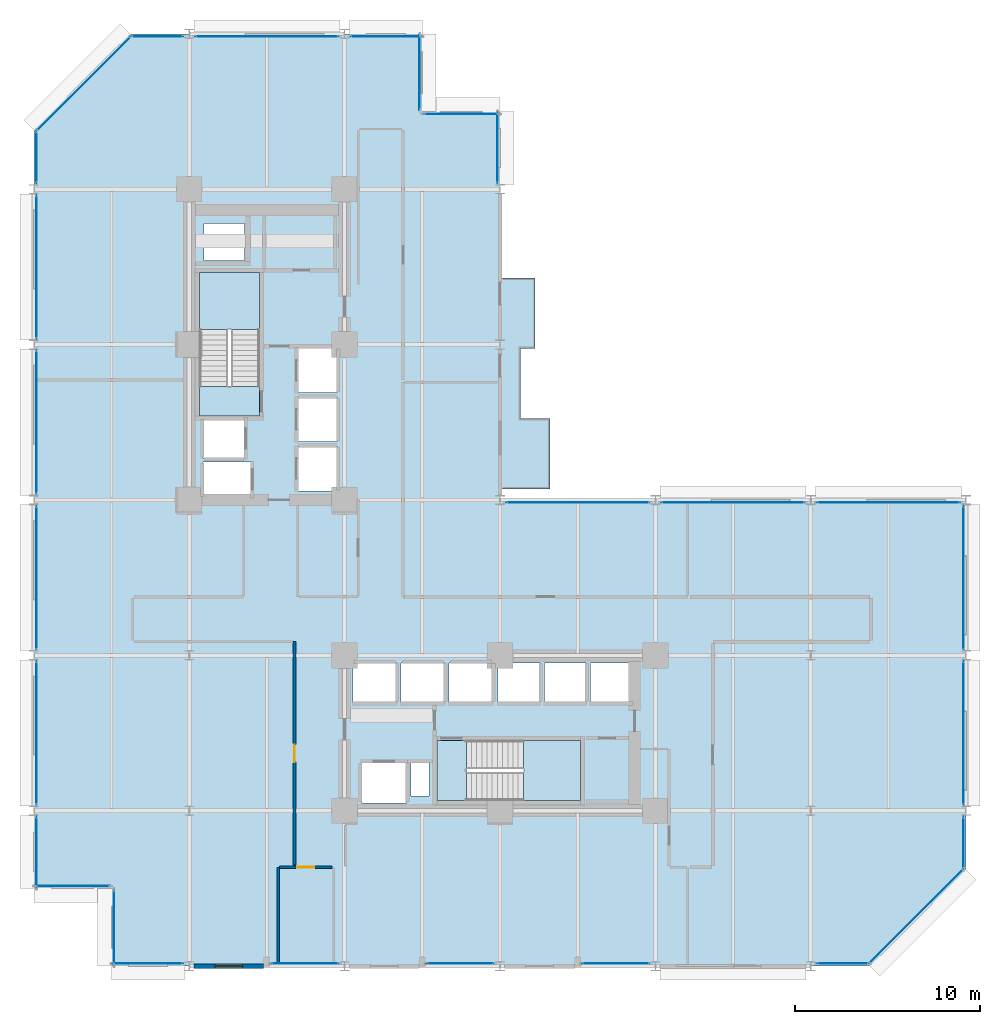
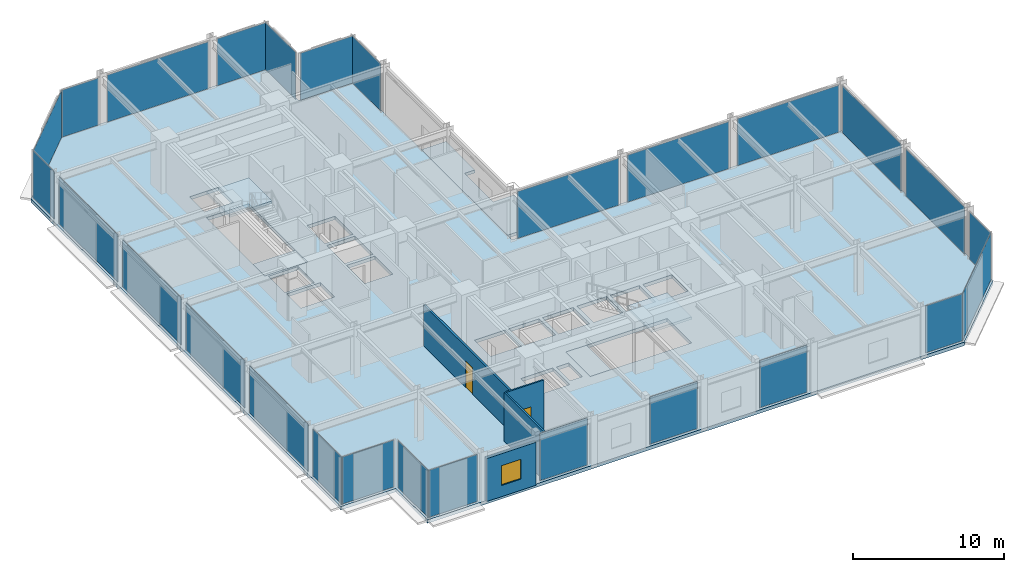
# One storey, part 19 of 25: 27 plates, 6 slabs, 4 walls, 2 doors, 1 window, 3 openings, 29 elements without a shape of their own.
"""IFC4 building model written with IfcOpenShell, lengths in metres."""

from ifc_helpers import new_model, si_unit, direction, frame, frame_2d, origin, origin_2d, place, context, subcontext, project, spatial, polyline, rectangle, outline, extrude, material, layer, layer_set, type_object, element, fill, aggregate, save


model = new_model("IFC4")

# Units and contexts
model_context = context("Model", 3, precision=1e-05, world=origin(), true_north=direction((0.0, 1.0)))
body_context = subcontext(model_context, "Body", "Model", "MODEL_VIEW")
ifc_project = project(units=[si_unit("LENGTHUNIT", "METRE"), si_unit("AREAUNIT", "SQUARE_METRE"), si_unit("VOLUMEUNIT", "CUBIC_METRE"), si_unit("PLANEANGLEUNIT", "RADIAN"), si_unit("MASSUNIT", "GRAM", prefix="KILO")], contexts=[model_context])

# Site, building, storey
site_placement = place(None, origin())
site = spatial("IfcSite", under=ifc_project, at=site_placement, CompositionType="ELEMENT")
building_placement = place(site_placement, origin())
building = spatial("IfcBuilding", under=site, at=building_placement, Name="Nerrivon Quay Data Exchange", CompositionType="ELEMENT")
storey_placement = place(building_placement, frame((0.0, 0.0, 24.800048828125)))
storey = spatial("IfcBuildingStorey", under=building, at=storey_placement, Name="L05", CompositionType="ELEMENT", Elevation=24.800048828125)

# Curtain wall, plate
ifc_material_1 = material(Name="Anodised aluminium 6063-T6", Category="aluminium")
ifc_layer_1 = layer(ifc_material_1, 0.219970703125)
ifc_layer_set_1 = layer_set([ifc_layer_1], Name="Anodised aluminium 6063-T6")
curtain_wall_type = type_object("IfcCurtainWallType", Name="CW-SYS-01", PredefinedType="NOTDEFINED", material=ifc_layer_set_1)
curtain_wall_1_placement = place(storey_placement, origin())
curtain_wall_1 = element("IfcCurtainWall", 1, at=curtain_wall_1_placement, inside=storey, type_object=curtain_wall_type, Name="L05 Unitised Curtain Wall 1", PredefinedType="NOTDEFINED")
ifc_material_2 = material(Name="Double-glazed low-E solar control glass", Category="glass")
ifc_layer_2 = layer(ifc_material_2, 0.028076171875)
ifc_layer_set_2 = layer_set([ifc_layer_2], Name="Double-glazed low-E solar control glass")
plate_type = type_object("IfcPlateType", Name="CWP-GLZ-28", PredefinedType="CURTAIN_PANEL", material=ifc_layer_set_2)
plate_1_placement = place(storey_placement, frame((47.700927734375, 2.698974609375, 0.06494140625), z_axis=(0.0, 0.0, 1.0), x_axis=(-0.707106781187, -0.707106781187, 0.0)))
plate_1 = element("IfcPlate", 2, at=plate_1_placement, type_object=plate_type, Name="CW01 panel 1.1", PredefinedType="CURTAIN_PANEL", context=body_context, shape_type="SweptSolid", body=[
    extrude(rectangle(XDim=7.203857421875, YDim=0.028076171875, at=origin_2d()), origin(), (0.0, 0.0, 1.0), 3.794921875),
])
aggregate(curtain_wall_1, [plate_1])

curtain_wall_2_placement = place(storey_placement, origin())
curtain_wall_2 = element("IfcCurtainWall", 3, at=curtain_wall_2_placement, inside=storey, type_object=curtain_wall_type, Name="L05 Unitised Curtain Wall 2", PredefinedType="NOTDEFINED")
plate_2_placement = place(storey_placement, frame((43.72509765625, 0.139892578125, 0.06494140625), z_axis=(0.0, 0.0, 1.0), x_axis=(-1.0, 0.0, 0.0)))
plate_2 = element("IfcPlate", 4, at=plate_2_placement, type_object=plate_type, Name="CW01 panel 1.1", PredefinedType="CURTAIN_PANEL", context=body_context, shape_type="SweptSolid", body=[
    extrude(rectangle(XDim=2.800048828125, YDim=0.028076171875, at=origin_2d()), origin(), (0.0, 0.0, 1.0), 3.794921875),
])
aggregate(curtain_wall_2, [plate_2])

curtain_wall_3_placement = place(storey_placement, origin())
curtain_wall_3 = element("IfcCurtainWall", 5, at=curtain_wall_3_placement, inside=storey, type_object=curtain_wall_type, Name="L05 Unitised Curtain Wall 4", PredefinedType="NOTDEFINED")
plate_3_placement = place(storey_placement, frame((31.46240234375, 0.139892578125, 0.06494140625), z_axis=(0.0, 0.0, 1.0), x_axis=(-1.0, 0.0, 0.0)))
plate_3 = element("IfcPlate", 6, at=plate_3_placement, type_object=plate_type, Name="CW01 panel 1.1", PredefinedType="CURTAIN_PANEL", context=body_context, shape_type="SweptSolid", body=[
    extrude(rectangle(XDim=3.625, YDim=0.028076171875, at=origin_2d()), origin(), (0.0, 0.0, 1.0), 3.794921875),
])
aggregate(curtain_wall_3, [plate_3])

curtain_wall_4_placement = place(storey_placement, origin())
curtain_wall_4 = element("IfcCurtainWall", 7, at=curtain_wall_4_placement, inside=storey, type_object=curtain_wall_type, Name="L05 Unitised Curtain Wall 6", PredefinedType="NOTDEFINED")
plate_4_placement = place(storey_placement, frame((23.0625, 0.139892578125, 0.06494140625), z_axis=(0.0, 0.0, 1.0), x_axis=(-1.0, 0.0, 0.0)))
plate_4 = element("IfcPlate", 8, at=plate_4_placement, type_object=plate_type, Name="CW01 panel 1.1", PredefinedType="CURTAIN_PANEL", context=body_context, shape_type="SweptSolid", body=[
    extrude(rectangle(XDim=3.625, YDim=0.028076171875, at=origin_2d()), origin(), (0.0, 0.0, 1.0), 3.794921875),
])
aggregate(curtain_wall_4, [plate_4])

curtain_wall_5_placement = place(storey_placement, origin())
curtain_wall_5 = element("IfcCurtainWall", 9, at=curtain_wall_5_placement, inside=storey, type_object=curtain_wall_type, Name="L05 Unitised Curtain Wall 8", PredefinedType="NOTDEFINED")
plate_5_placement = place(storey_placement, frame((14.66259765625, 0.139892578125, 0.06494140625), z_axis=(0.0, 0.0, 1.0), x_axis=(-1.0, 0.0, 0.0)))
plate_5 = element("IfcPlate", 10, at=plate_5_placement, type_object=plate_type, Name="CW01 panel 1.1", PredefinedType="CURTAIN_PANEL", context=body_context, shape_type="SweptSolid", body=[
    extrude(rectangle(XDim=3.625, YDim=0.028076171875, at=origin_2d()), origin(), (0.0, 0.0, 1.0), 3.794921875),
])
aggregate(curtain_wall_5, [plate_5])

curtain_wall_6_placement = place(storey_placement, origin())
curtain_wall_6 = element("IfcCurtainWall", 11, at=curtain_wall_6_placement, inside=storey, type_object=curtain_wall_type, Name="L05 Unitised Curtain Wall 10", PredefinedType="NOTDEFINED")
plate_6_placement = place(storey_placement, frame((6.175048828125, 0.139892578125, 0.06494140625), z_axis=(0.0, 0.0, 1.0), x_axis=(-1.0, 0.0, 0.0)))
plate_6 = element("IfcPlate", 12, at=plate_6_placement, type_object=plate_type, Name="CW01 panel 1.1", PredefinedType="CURTAIN_PANEL", context=body_context, shape_type="SweptSolid", body=[
    extrude(rectangle(XDim=3.800048828125, YDim=0.028076171875, at=origin_2d()), origin(), (0.0, 0.0, 1.0), 3.794921875),
])
aggregate(curtain_wall_6, [plate_6])

curtain_wall_7_placement = place(storey_placement, origin())
curtain_wall_7 = element("IfcCurtainWall", 13, at=curtain_wall_7_placement, inside=storey, type_object=curtain_wall_type, Name="L05 Unitised Curtain Wall 11", PredefinedType="NOTDEFINED")
plate_7_placement = place(storey_placement, frame((4.340087890625, 2.10009765625, 0.06494140625), z_axis=(0.0, 0.0, 1.0), x_axis=(0.0, 1.0, 0.0)))
plate_7 = element("IfcPlate", 14, at=plate_7_placement, type_object=plate_type, Name="CW01 panel 1.1", PredefinedType="CURTAIN_PANEL", context=body_context, shape_type="SweptSolid", body=[
    extrude(rectangle(XDim=4.050048828125, YDim=0.028076171875, at=origin_2d()), origin(), (0.0, 0.0, 1.0), 3.794921875),
])
aggregate(curtain_wall_7, [plate_7])

curtain_wall_8_placement = place(storey_placement, origin())
curtain_wall_8 = element("IfcCurtainWall", 15, at=curtain_wall_8_placement, inside=storey, type_object=curtain_wall_type, Name="L05 Unitised Curtain Wall 12", PredefinedType="NOTDEFINED")
plate_8_placement = place(storey_placement, frame((2.10009765625, 4.340087890625, 0.06494140625), z_axis=(0.0, 0.0, 1.0), x_axis=(-1.0, 0.0, 0.0)))
plate_8 = element("IfcPlate", 16, at=plate_8_placement, type_object=plate_type, Name="CW01 panel 1.1", PredefinedType="CURTAIN_PANEL", context=body_context, shape_type="SweptSolid", body=[
    extrude(rectangle(XDim=4.050048828125, YDim=0.028076171875, at=origin_2d()), origin(), (0.0, 0.0, 1.0), 3.794921875),
])
aggregate(curtain_wall_8, [plate_8])

curtain_wall_9_placement = place(storey_placement, origin())
curtain_wall_9 = element("IfcCurtainWall", 17, at=curtain_wall_9_placement, inside=storey, type_object=curtain_wall_type, Name="L05 Unitised Curtain Wall 13", PredefinedType="NOTDEFINED")
plate_9_placement = place(storey_placement, frame((0.139892578125, 6.175048828125, 0.06494140625), z_axis=(0.0, 0.0, 1.0), x_axis=(0.0, 1.0, 0.0)))
plate_9 = element("IfcPlate", 18, at=plate_9_placement, type_object=plate_type, Name="CW01 panel 1.1", PredefinedType="CURTAIN_PANEL", context=body_context, shape_type="SweptSolid", body=[
    extrude(rectangle(XDim=3.800048828125, YDim=0.028076171875, at=origin_2d()), origin(), (0.0, 0.0, 1.0), 3.794921875),
])
aggregate(curtain_wall_9, [plate_9])

curtain_wall_10_placement = place(storey_placement, origin())
curtain_wall_10 = element("IfcCurtainWall", 19, at=curtain_wall_10_placement, inside=storey, type_object=curtain_wall_type, Name="L05 Unitised Curtain Wall 14", PredefinedType="NOTDEFINED")
plate_10_placement = place(storey_placement, frame((0.139892578125, 12.60009765625, 0.06494140625), z_axis=(0.0, 0.0, 1.0), x_axis=(0.0, 1.0, 0.0)))
plate_10 = element("IfcPlate", 20, at=plate_10_placement, type_object=plate_type, Name="CW01 panel 1.1", PredefinedType="CURTAIN_PANEL", context=body_context, shape_type="SweptSolid", body=[
    extrude(rectangle(XDim=7.75, YDim=0.028076171875, at=origin_2d()), origin(), (0.0, 0.0, 1.0), 3.794921875),
])
aggregate(curtain_wall_10, [plate_10])

curtain_wall_11_placement = place(storey_placement, origin())
curtain_wall_11 = element("IfcCurtainWall", 21, at=curtain_wall_11_placement, inside=storey, type_object=curtain_wall_type, Name="L05 Unitised Curtain Wall 15", PredefinedType="NOTDEFINED")
plate_11_placement = place(storey_placement, frame((0.139892578125, 21.0, 0.06494140625), z_axis=(0.0, 0.0, 1.0), x_axis=(0.0, 1.0, 0.0)))
plate_11 = element("IfcPlate", 22, at=plate_11_placement, type_object=plate_type, Name="CW01 panel 1.1", PredefinedType="CURTAIN_PANEL", context=body_context, shape_type="SweptSolid", body=[
    extrude(rectangle(XDim=7.75, YDim=0.028076171875, at=origin_2d()), origin(), (0.0, 0.0, 1.0), 3.794921875),
])
aggregate(curtain_wall_11, [plate_11])

curtain_wall_12_placement = place(storey_placement, origin())
curtain_wall_12 = element("IfcCurtainWall", 23, at=curtain_wall_12_placement, inside=storey, type_object=curtain_wall_type, Name="L05 Unitised Curtain Wall 16", PredefinedType="NOTDEFINED")
plate_12_placement = place(storey_placement, frame((0.139892578125, 29.39990234375, 0.06494140625), z_axis=(0.0, 0.0, 1.0), x_axis=(0.0, 1.0, 0.0)))
plate_12 = element("IfcPlate", 24, at=plate_12_placement, type_object=plate_type, Name="CW01 panel 1.1", PredefinedType="CURTAIN_PANEL", context=body_context, shape_type="SweptSolid", body=[
    extrude(rectangle(XDim=7.75, YDim=0.028076171875, at=origin_2d()), origin(), (0.0, 0.0, 1.0), 3.794921875),
])
aggregate(curtain_wall_12, [plate_12])

curtain_wall_13_placement = place(storey_placement, origin())
curtain_wall_13 = element("IfcCurtainWall", 25, at=curtain_wall_13_placement, inside=storey, type_object=curtain_wall_type, Name="L05 Unitised Curtain Wall 17", PredefinedType="NOTDEFINED")
plate_13_placement = place(storey_placement, frame((0.139892578125, 37.800048828125, 0.06494140625), z_axis=(0.0, 0.0, 1.0), x_axis=(0.0, 1.0, 0.0)))
plate_13 = element("IfcPlate", 26, at=plate_13_placement, type_object=plate_type, Name="CW01 panel 1.1", PredefinedType="CURTAIN_PANEL", context=body_context, shape_type="SweptSolid", body=[
    extrude(rectangle(XDim=7.75, YDim=0.028076171875, at=origin_2d()), origin(), (0.0, 0.0, 1.0), 3.794921875),
])
aggregate(curtain_wall_13, [plate_13])

curtain_wall_14_placement = place(storey_placement, origin())
curtain_wall_14 = element("IfcCurtainWall", 27, at=curtain_wall_14_placement, inside=storey, type_object=curtain_wall_type, Name="L05 Unitised Curtain Wall 18", PredefinedType="NOTDEFINED")
plate_14_placement = place(storey_placement, frame((0.139892578125, 43.72509765625, 0.06494140625), z_axis=(0.0, 0.0, 1.0), x_axis=(0.0, 1.0, 0.0)))
plate_14 = element("IfcPlate", 28, at=plate_14_placement, type_object=plate_type, Name="CW01 panel 1.1", PredefinedType="CURTAIN_PANEL", context=body_context, shape_type="SweptSolid", body=[
    extrude(rectangle(XDim=2.800048828125, YDim=0.028076171875, at=origin_2d()), origin(), (0.0, 0.0, 1.0), 3.794921875),
])
aggregate(curtain_wall_14, [plate_14])

curtain_wall_15_placement = place(storey_placement, origin())
curtain_wall_15 = element("IfcCurtainWall", 29, at=curtain_wall_15_placement, inside=storey, type_object=curtain_wall_type, Name="L05 Unitised Curtain Wall 19", PredefinedType="NOTDEFINED")
plate_15_placement = place(storey_placement, frame((2.698974609375, 47.700927734375, 0.06494140625), z_axis=(0.0, 0.0, 1.0), x_axis=(0.707106781187, 0.707106781187, 0.0)))
plate_15 = element("IfcPlate", 30, at=plate_15_placement, type_object=plate_type, Name="CW01 panel 1.1", PredefinedType="CURTAIN_PANEL", context=body_context, shape_type="SweptSolid", body=[
    extrude(rectangle(XDim=7.203857421875, YDim=0.028076171875, at=origin_2d()), origin(), (0.0, 0.0, 1.0), 3.794921875),
])
aggregate(curtain_wall_15, [plate_15])

curtain_wall_16_placement = place(storey_placement, origin())
curtain_wall_16 = element("IfcCurtainWall", 31, at=curtain_wall_16_placement, inside=storey, type_object=curtain_wall_type, Name="L05 Unitised Curtain Wall 20", PredefinedType="NOTDEFINED")
plate_16_placement = place(storey_placement, frame((6.675048828125, 50.260009765625, 0.06494140625), z_axis=(0.0, 0.0, 1.0), x_axis=(1.0, 0.0, 0.0)))
plate_16 = element("IfcPlate", 32, at=plate_16_placement, type_object=plate_type, Name="CW01 panel 1.1", PredefinedType="CURTAIN_PANEL", context=body_context, shape_type="SweptSolid", body=[
    extrude(rectangle(XDim=2.800048828125, YDim=0.028076171875, at=origin_2d()), origin(), (0.0, 0.0, 1.0), 3.794921875),
])
aggregate(curtain_wall_16, [plate_16])

curtain_wall_17_placement = place(storey_placement, origin())
curtain_wall_17 = element("IfcCurtainWall", 33, at=curtain_wall_17_placement, inside=storey, type_object=curtain_wall_type, Name="L05 Unitised Curtain Wall 21", PredefinedType="NOTDEFINED")
plate_17_placement = place(storey_placement, frame((12.60009765625, 50.260009765625, 0.06494140625), z_axis=(0.0, 0.0, 1.0), x_axis=(1.0, 0.0, 0.0)))
plate_17 = element("IfcPlate", 34, at=plate_17_placement, type_object=plate_type, Name="CW01 panel 1.1", PredefinedType="CURTAIN_PANEL", context=body_context, shape_type="SweptSolid", body=[
    extrude(rectangle(XDim=7.75, YDim=0.028076171875, at=origin_2d()), origin(), (0.0, 0.0, 1.0), 3.794921875),
])
aggregate(curtain_wall_17, [plate_17])

curtain_wall_18_placement = place(storey_placement, origin())
curtain_wall_18 = element("IfcCurtainWall", 35, at=curtain_wall_18_placement, inside=storey, type_object=curtain_wall_type, Name="L05 Unitised Curtain Wall 22", PredefinedType="NOTDEFINED")
plate_18_placement = place(storey_placement, frame((19.02490234375, 50.260009765625, 0.06494140625), z_axis=(0.0, 0.0, 1.0), x_axis=(1.0, 0.0, 0.0)))
plate_18 = element("IfcPlate", 36, at=plate_18_placement, type_object=plate_type, Name="CW01 panel 1.1", PredefinedType="CURTAIN_PANEL", context=body_context, shape_type="SweptSolid", body=[
    extrude(rectangle(XDim=3.800048828125, YDim=0.028076171875, at=origin_2d()), origin(), (0.0, 0.0, 1.0), 3.794921875),
])
aggregate(curtain_wall_18, [plate_18])

curtain_wall_19_placement = place(storey_placement, origin())
curtain_wall_19 = element("IfcCurtainWall", 37, at=curtain_wall_19_placement, inside=storey, type_object=curtain_wall_type, Name="L05 Unitised Curtain Wall 23", PredefinedType="NOTDEFINED")
plate_19_placement = place(storey_placement, frame((20.860107421875, 48.300048828125, 0.06494140625), z_axis=(0.0, 0.0, 1.0), x_axis=(0.0, -1.0, 0.0)))
plate_19 = element("IfcPlate", 38, at=plate_19_placement, type_object=plate_type, Name="CW01 panel 1.1", PredefinedType="CURTAIN_PANEL", context=body_context, shape_type="SweptSolid", body=[
    extrude(rectangle(XDim=4.050048828125, YDim=0.028076171875, at=origin_2d()), origin(), (0.0, 0.0, 1.0), 3.794921875),
])
aggregate(curtain_wall_19, [plate_19])

curtain_wall_20_placement = place(storey_placement, origin())
curtain_wall_20 = element("IfcCurtainWall", 39, at=curtain_wall_20_placement, inside=storey, type_object=curtain_wall_type, Name="L05 Unitised Curtain Wall 24", PredefinedType="NOTDEFINED")
plate_20_placement = place(storey_placement, frame((23.10009765625, 46.06005859375, 0.06494140625), z_axis=(0.0, 0.0, 1.0), x_axis=(1.0, 0.0, 0.0)))
plate_20 = element("IfcPlate", 40, at=plate_20_placement, type_object=plate_type, Name="CW01 panel 1.1", PredefinedType="CURTAIN_PANEL", context=body_context, shape_type="SweptSolid", body=[
    extrude(rectangle(XDim=4.050048828125, YDim=0.028076171875, at=origin_2d()), origin(), (0.0, 0.0, 1.0), 3.794921875),
])
aggregate(curtain_wall_20, [plate_20])

curtain_wall_21_placement = place(storey_placement, origin())
curtain_wall_21 = element("IfcCurtainWall", 41, at=curtain_wall_21_placement, inside=storey, type_object=curtain_wall_type, Name="L05 Unitised Curtain Wall 25", PredefinedType="NOTDEFINED")
plate_21_placement = place(storey_placement, frame((25.06005859375, 44.22509765625, 0.06494140625), z_axis=(0.0, 0.0, 1.0), x_axis=(0.0, -1.0, 0.0)))
plate_21 = element("IfcPlate", 42, at=plate_21_placement, type_object=plate_type, Name="CW01 panel 1.1", PredefinedType="CURTAIN_PANEL", context=body_context, shape_type="SweptSolid", body=[
    extrude(rectangle(XDim=3.800048828125, YDim=0.028076171875, at=origin_2d()), origin(), (0.0, 0.0, 1.0), 3.794921875),
])
aggregate(curtain_wall_21, [plate_21])

curtain_wall_22_placement = place(storey_placement, origin())
curtain_wall_22 = element("IfcCurtainWall", 43, at=curtain_wall_22_placement, inside=storey, type_object=curtain_wall_type, Name="L05 Unitised Curtain Wall 28", PredefinedType="NOTDEFINED")
plate_22_placement = place(storey_placement, frame((29.39990234375, 25.06005859375, 0.06494140625), z_axis=(0.0, 0.0, 1.0), x_axis=(1.0, 0.0, 0.0)))
plate_22 = element("IfcPlate", 44, at=plate_22_placement, type_object=plate_type, Name="CW01 panel 1.1", PredefinedType="CURTAIN_PANEL", context=body_context, shape_type="SweptSolid", body=[
    extrude(rectangle(XDim=7.75, YDim=0.028076171875, at=origin_2d()), origin(), (0.0, 0.0, 1.0), 3.794921875),
])
aggregate(curtain_wall_22, [plate_22])

curtain_wall_23_placement = place(storey_placement, origin())
curtain_wall_23 = element("IfcCurtainWall", 45, at=curtain_wall_23_placement, inside=storey, type_object=curtain_wall_type, Name="L05 Unitised Curtain Wall 29", PredefinedType="NOTDEFINED")
plate_23_placement = place(storey_placement, frame((37.800048828125, 25.06005859375, 0.06494140625), z_axis=(0.0, 0.0, 1.0), x_axis=(1.0, 0.0, 0.0)))
plate_23 = element("IfcPlate", 46, at=plate_23_placement, type_object=plate_type, Name="CW01 panel 1.1", PredefinedType="CURTAIN_PANEL", context=body_context, shape_type="SweptSolid", body=[
    extrude(rectangle(XDim=7.75, YDim=0.028076171875, at=origin_2d()), origin(), (0.0, 0.0, 1.0), 3.794921875),
])
aggregate(curtain_wall_23, [plate_23])

curtain_wall_24_placement = place(storey_placement, origin())
curtain_wall_24 = element("IfcCurtainWall", 47, at=curtain_wall_24_placement, inside=storey, type_object=curtain_wall_type, Name="L05 Unitised Curtain Wall 30", PredefinedType="NOTDEFINED")
plate_24_placement = place(storey_placement, frame((46.199951171875, 25.06005859375, 0.06494140625), z_axis=(0.0, 0.0, 1.0), x_axis=(1.0, 0.0, 0.0)))
plate_24 = element("IfcPlate", 48, at=plate_24_placement, type_object=plate_type, Name="CW01 panel 1.1", PredefinedType="CURTAIN_PANEL", context=body_context, shape_type="SweptSolid", body=[
    extrude(rectangle(XDim=7.75, YDim=0.028076171875, at=origin_2d()), origin(), (0.0, 0.0, 1.0), 3.794921875),
])
aggregate(curtain_wall_24, [plate_24])

curtain_wall_25_placement = place(storey_placement, origin())
curtain_wall_25 = element("IfcCurtainWall", 49, at=curtain_wall_25_placement, inside=storey, type_object=curtain_wall_type, Name="L05 Unitised Curtain Wall 31", PredefinedType="NOTDEFINED")
plate_25_placement = place(storey_placement, frame((50.260009765625, 21.0, 0.06494140625), z_axis=(0.0, 0.0, 1.0), x_axis=(0.0, -1.0, 0.0)))
plate_25 = element("IfcPlate", 50, at=plate_25_placement, type_object=plate_type, Name="CW01 panel 1.1", PredefinedType="CURTAIN_PANEL", context=body_context, shape_type="SweptSolid", body=[
    extrude(rectangle(XDim=7.75, YDim=0.028076171875, at=origin_2d()), origin(), (0.0, 0.0, 1.0), 3.794921875),
])
aggregate(curtain_wall_25, [plate_25])

curtain_wall_26_placement = place(storey_placement, origin())
curtain_wall_26 = element("IfcCurtainWall", 51, at=curtain_wall_26_placement, inside=storey, type_object=curtain_wall_type, Name="L05 Unitised Curtain Wall 32", PredefinedType="NOTDEFINED")
plate_26_placement = place(storey_placement, frame((50.260009765625, 12.60009765625, 0.06494140625), z_axis=(0.0, 0.0, 1.0), x_axis=(0.0, -1.0, 0.0)))
plate_26 = element("IfcPlate", 52, at=plate_26_placement, type_object=plate_type, Name="CW01 panel 1.1", PredefinedType="CURTAIN_PANEL", context=body_context, shape_type="SweptSolid", body=[
    extrude(rectangle(XDim=7.75, YDim=0.028076171875, at=origin_2d()), origin(), (0.0, 0.0, 1.0), 3.794921875),
])
aggregate(curtain_wall_26, [plate_26])

curtain_wall_27_placement = place(storey_placement, origin())
curtain_wall_27 = element("IfcCurtainWall", 53, at=curtain_wall_27_placement, inside=storey, type_object=curtain_wall_type, Name="L05 Unitised Curtain Wall 33", PredefinedType="NOTDEFINED")
plate_27_placement = place(storey_placement, frame((50.260009765625, 6.675048828125, 0.06494140625), z_axis=(0.0, 0.0, 1.0), x_axis=(0.0, -1.0, 0.0)))
plate_27 = element("IfcPlate", 54, at=plate_27_placement, type_object=plate_type, Name="CW01 panel 1.1", PredefinedType="CURTAIN_PANEL", context=body_context, shape_type="SweptSolid", body=[
    extrude(rectangle(XDim=2.800048828125, YDim=0.028076171875, at=origin_2d()), origin(), (0.0, 0.0, 1.0), 3.794921875),
])
aggregate(curtain_wall_27, [plate_27])

# Slab
ifc_material_3 = material(Name="Precast white architectural concrete N50 (50 MPa)", Category="concrete")
ifc_layer_3 = layer(ifc_material_3, 0.25)
ifc_layer_set_3 = layer_set([ifc_layer_3], Name="Precast white architectural concrete N50 (50 MPa)")
slab_type_1 = type_object("IfcSlabType", Name="SLB-BAL-250", PredefinedType="FLOOR", material=ifc_layer_set_3)
slab_1_placement = place(storey_placement, frame((0.0, 0.0, -0.25)))
element("IfcSlab", 55, at=slab_1_placement, inside=storey, type_object=slab_type_1, Name="L05 Waterfront Subtropical Verandah", PredefinedType="FLOOR", context=body_context, shape_type="SweptSolid", body=[
    extrude(outline(polyline([(26.300048828125, 29.60009765625), (26.300048828125, 33.39990234375), (27.10009765625, 33.39990234375), (27.10009765625, 37.199951171875), (25.199951171875, 37.199951171875), (25.199951171875, 33.39990234375), (25.199951171875, 29.60009765625), (25.199951171875, 25.800048828125), (27.89990234375, 25.800048828125), (27.89990234375, 29.60009765625), (26.300048828125, 29.60009765625)])), origin(), (0.0, 0.0, 1.0), 0.25),
])

# Stair, slab
ifc_material_4 = material(Name="Concrete N50 (50 MPa)", Category="concrete")
stair_type = type_object("IfcStairType", Name="STAIR-DOG-42", PredefinedType="HALF_TURN_STAIR", material=ifc_material_4)
stair_1_placement = place(storey_placement, origin())
stair_1 = element("IfcStair", 56, at=stair_1_placement, inside=storey, type_object=stair_type, Name="L05 West Core Fire Stair ST01", PredefinedType="HALF_TURN_STAIR")
ifc_layer_4 = layer(ifc_material_4, 0.199951171875)
ifc_layer_set_4 = layer_set([ifc_layer_4], Name="Concrete N50 (50 MPa)")
slab_type_2 = type_object("IfcSlabType", Name="SLB-LAND-200", PredefinedType="LANDING", material=ifc_layer_set_4)
slab_2_placement = place(storey_placement, frame((0.0, 0.0, 1.89990234375)))
slab_2 = element("IfcSlab", 57, at=slab_2_placement, type_object=slab_type_2, Name="ST01 landing 1", PredefinedType="LANDING", context=body_context, shape_type="SweptSolid", body=[
    extrude(outline(polyline([(12.199951171875, 34.409912109375), (12.199951171875, 37.5), (8.949951171875, 37.5), (8.949951171875, 34.409912109375), (12.199951171875, 34.409912109375)])), origin(), (0.0, 0.0, 1.0), 0.199951171875),
])
aggregate(stair_1, [slab_2])

# Slab
slab_3_placement = place(storey_placement, frame((0.0, 0.0, -0.199951171875)))
element("IfcSlab", 58, at=slab_3_placement, inside=storey, type_object=slab_type_2, Name="L05 ST01 floor landing", PredefinedType="LANDING", context=body_context, shape_type="SweptSolid", body=[
    extrude(outline(polyline([(12.199951171875, 29.75), (12.199951171875, 31.330078125), (8.949951171875, 31.330078125), (8.949951171875, 29.75), (12.199951171875, 29.75)])), origin(), (0.0, 0.0, 1.0), 0.199951171875),
])

# Stair, slab
stair_2_placement = place(storey_placement, origin())
stair_2 = element("IfcStair", 59, at=stair_2_placement, inside=storey, type_object=stair_type, Name="L05 East Core Fire Stair ST02", PredefinedType="HALF_TURN_STAIR")
slab_4_placement = place(storey_placement, frame((0.0, 0.0, 1.89990234375)))
slab_4 = element("IfcSlab", 60, at=slab_4_placement, type_object=slab_type_2, Name="ST02 landing 1", PredefinedType="LANDING", context=body_context, shape_type="SweptSolid", body=[
    extrude(outline(polyline([(26.4599609375, 8.949951171875), (29.550048828125, 8.949951171875), (29.550048828125, 12.199951171875), (26.4599609375, 12.199951171875), (26.4599609375, 8.949951171875)])), origin(), (0.0, 0.0, 1.0), 0.199951171875),
])
aggregate(stair_2, [slab_4])

# Slabs
slab_5_placement = place(storey_placement, frame((0.0, 0.0, -0.199951171875)))
element("IfcSlab", 61, at=slab_5_placement, inside=storey, type_object=slab_type_2, Name="L05 ST02 floor landing", PredefinedType="LANDING", context=body_context, shape_type="SweptSolid", body=[
    extrude(outline(polyline([(21.800048828125, 8.949951171875), (23.3798828125, 8.949951171875), (23.3798828125, 12.199951171875), (21.800048828125, 12.199951171875), (21.800048828125, 8.949951171875)])), origin(), (0.0, 0.0, 1.0), 0.199951171875),
])
ifc_layer_5 = layer(ifc_material_4, 0.27490234375)
ifc_layer_set_5 = layer_set([ifc_layer_5], Name="Concrete N50 (50 MPa)")
slab_type_3 = type_object("IfcSlabType", Name="SLB-TOW-275", PredefinedType="FLOOR", material=ifc_layer_set_5)
slab_6_placement = place(storey_placement, frame((0.0, 0.0, -0.275146484375)))
element("IfcSlab", 62, at=slab_6_placement, inside=storey, type_object=slab_type_3, Name="L05 Primary Structural Slab", PredefinedType="FLOOR", context=body_context, shape_type="SweptSolid", body=[
    extrude(outline(polyline([(50.39990234375, 25.199951171875), (25.199951171875, 25.199951171875), (25.199951171875, 46.199951171875), (21.0, 46.199951171875), (21.0, 50.39990234375), (5.199951171875, 50.39990234375), (0.0, 45.199951171875), (0.0, 4.199951171875), (4.199951171875, 4.199951171875), (4.199951171875, 0.0), (45.199951171875, 0.0), (50.39990234375, 5.199951171875), (50.39990234375, 25.199951171875)]), holes=[polyline([(8.949951171875, 29.75), (8.949951171875, 37.5), (12.199951171875, 37.5), (12.199951171875, 29.75), (8.949951171875, 29.75)]), polyline([(21.800048828125, 12.199951171875), (29.550048828125, 12.199951171875), (29.550048828125, 8.949951171875), (21.800048828125, 8.949951171875), (21.800048828125, 12.199951171875)]), polyline([(30.10009765625, 16.39990234375), (32.35009765625, 16.39990234375), (32.35009765625, 14.25), (30.10009765625, 14.25), (30.10009765625, 16.39990234375)]), polyline([(27.60009765625, 16.39990234375), (29.85009765625, 16.39990234375), (29.85009765625, 14.25), (27.60009765625, 14.25), (27.60009765625, 16.39990234375)]), polyline([(25.10009765625, 16.39990234375), (27.35009765625, 16.39990234375), (27.35009765625, 14.25), (25.10009765625, 14.25), (25.10009765625, 16.39990234375)]), polyline([(22.449951171875, 16.39990234375), (24.800048828125, 16.39990234375), (24.800048828125, 14.25), (22.449951171875, 14.25), (22.449951171875, 16.39990234375)]), polyline([(19.85009765625, 16.39990234375), (22.199951171875, 16.39990234375), (22.199951171875, 14.25), (19.85009765625, 14.25), (19.85009765625, 16.39990234375)]), polyline([(20.39990234375, 11.0), (21.35009765625, 11.0), (21.35009765625, 9.199951171875), (20.39990234375, 9.199951171875), (20.39990234375, 11.0)]), polyline([(17.699951171875, 8.830078125), (17.699951171875, 11.030029296875), (20.14990234375, 11.030029296875), (20.14990234375, 8.830078125), (17.699951171875, 8.830078125)]), polyline([(17.25, 14.25), (17.25, 16.39990234375), (19.60009765625, 16.39990234375), (19.60009765625, 14.25), (17.25, 14.25)]), polyline([(14.25, 28.10009765625), (16.39990234375, 28.10009765625), (16.39990234375, 25.699951171875), (14.25, 25.699951171875), (14.25, 28.10009765625)]), polyline([(14.25, 30.75), (16.39990234375, 30.75), (16.39990234375, 28.35009765625), (14.25, 28.35009765625), (14.25, 30.75)]), polyline([(14.25, 33.39990234375), (16.39990234375, 33.39990234375), (16.39990234375, 31.0), (14.25, 31.0), (14.25, 33.39990234375)]), polyline([(9.14990234375, 27.25), (11.75, 27.25), (11.75, 25.35009765625), (9.14990234375, 25.35009765625), (9.14990234375, 27.25)]), polyline([(9.14990234375, 29.60009765625), (11.39990234375, 29.60009765625), (11.39990234375, 27.449951171875), (9.14990234375, 27.449951171875), (9.14990234375, 29.60009765625)]), polyline([(9.199951171875, 40.14990234375), (11.39990234375, 40.14990234375), (11.39990234375, 38.14990234375), (9.199951171875, 38.14990234375), (9.199951171875, 40.14990234375)])]), origin(), (0.0, 0.0, 1.0), 0.275146484375),
])

# Wall, opening, window
ifc_material_5 = material(Name="Architectural terracotta precast concrete N50 (50 MPa)", Category="masonry")
ifc_layer_6 = layer(ifc_material_5, 0.239990234375)
ifc_layer_set_6 = layer_set([ifc_layer_6], Name="Architectural terracotta precast concrete N50 (50 MPa)")
wall_type_1 = type_object("IfcWallType", Name="EW-PREC-240", PredefinedType="STANDARD", material=ifc_layer_set_6)
wall_1_placement = place(storey_placement, frame((12.425048828125, 0.0, 0.0), z_axis=(0.0, 0.0, 1.0), x_axis=(-1.0, 0.0, 0.0)))
wall_1 = element("IfcWall", 63, at=wall_1_placement, inside=storey, type_object=wall_type_1, Name="L05 Podium Precast Spandrel Wall 9", PredefinedType="STANDARD", context=body_context, shape_type="SweptSolid", body=[
    extrude(rectangle(XDim=3.775146484375, YDim=0.239990234375, at=frame_2d((1.8876953125, 0.0))), origin(), (0.0, 0.0, 1.0), 3.470947265625),
])
opening_1_placement = place(wall_1_placement, frame((1.137451171875, 0.0, 0.89990234375)))
opening_1 = element("IfcOpeningElement", 64, at=opening_1_placement, cuts=wall_1, Name="Opening WN4", PredefinedType="OPENING", context=body_context, shape_type="SweptSolid", body=[
    extrude(rectangle(XDim=1.5, YDim=1.60009765625, at=frame_2d((0.75, 0.800048828125))), frame((0.0, 0.1298828125, 0.0), z_axis=(0.0, -1.0, 0.0), x_axis=(1.0, 0.0, 0.0)), (0.0, 0.0, 1.0), 0.260009765625),
])
window_type = type_object("IfcWindowType", Name="WIN-W4-1500x1600", PartitioningType="SINGLE_PANEL", PredefinedType="WINDOW", material=ifc_material_2)
window_placement = place(opening_1_placement, origin())
window = element("IfcWindow", 65, at=window_placement, inside=storey, type_object=window_type, Name="L05 Solar Facade Window 9", OverallHeight=1.60009765625, OverallWidth=1.5, PartitioningType="SINGLE_PANEL", PredefinedType="WINDOW", context=body_context, shape_type="SweptSolid", body=[
    extrude(rectangle(XDim=1.5, YDim=1.60009765625, at=frame_2d((0.75, 0.800048828125))), frame((0.0, 0.030029296875, 0.0), z_axis=(0.0, -1.0, 0.0), x_axis=(1.0, 0.0, 0.0)), (0.0, 0.0, 1.0), 0.06005859375),
])
fill(opening_1, window)

# Wall, opening, door
ifc_material_6 = material(Name="Gypsum plasterboard on cold-formed framing", Category="gypsum")
ifc_layer_7 = layer(ifc_material_6, 0.1201171875)
ifc_layer_set_7 = layer_set([ifc_layer_7], Name="Gypsum plasterboard on cold-formed framing")
wall_type_2 = type_object("IfcWallType", Name="WALL-PT-120", PredefinedType="PARTITIONING", material=ifc_layer_set_7)
wall_2_placement = place(storey_placement, frame((16.12841796875, 5.340087890625, 0.0), z_axis=(0.0, 0.0, 1.0), x_axis=(-1.0, 0.0, 0.0)))
wall_2 = element("IfcWall", 66, at=wall_2_placement, inside=storey, type_object=wall_type_2, Name="L05 Partition Accessible Toilet", PredefinedType="PARTITIONING", context=body_context, shape_type="SweptSolid", body=[
    extrude(rectangle(XDim=2.85693359375, YDim=0.1201171875, at=frame_2d((1.428466796875, 0.0))), origin(), (0.0, 0.0, 1.0), 3.925048828125),
])
opening_2_placement = place(wall_2_placement, frame((0.968505859375, 0.0, 0.0)))
opening_2 = element("IfcOpeningElement", 67, at=opening_2_placement, cuts=wall_2, Name="Opening D-WC", PredefinedType="OPENING", context=body_context, shape_type="SweptSolid", body=[
    extrude(rectangle(XDim=0.919921875, YDim=2.10009765625, at=frame_2d((0.4599609375, 1.050048828125))), frame((0.0, 0.070068359375, 0.0), z_axis=(0.0, -1.0, 0.0), x_axis=(1.0, 0.0, 0.0)), (0.0, 0.0, 1.0), 0.14013671875),
])
ifc_material_7 = material(Name="Engineered hardwood timber", Category="wood")
door_type_1 = type_object("IfcDoorType", Name="DR-WC-920", OperationType="NOTDEFINED", PredefinedType="DOOR", material=ifc_material_7)
door_1_placement = place(opening_2_placement, origin())
door_1 = element("IfcDoor", 68, at=door_1_placement, inside=storey, type_object=door_type_1, Name="L05 Door Accessible Toilet", OperationType="SINGLE_SWING_RIGHT", OverallHeight=2.10009765625, OverallWidth=0.919921875, PredefinedType="DOOR", context=body_context, shape_type="SweptSolid", body=[
    extrude(rectangle(XDim=0.919921875, YDim=2.10009765625, at=frame_2d((0.4599609375, 1.050048828125))), frame((0.0, 0.02490234375, 0.0), z_axis=(0.0, -1.0, 0.0), x_axis=(1.0, 0.0, 0.0)), (0.0, 0.0, 1.0), 0.050048828125),
])
fill(opening_2, door_1)

# Wall
ifc_layer_8 = layer(ifc_material_6, 0.135009765625)
ifc_layer_set_8 = layer_set([ifc_layer_8], Name="Gypsum plasterboard on cold-formed framing")
wall_type_3 = type_object("IfcWallType", Name="WALL-PT-135", PredefinedType="PARTITIONING", material=ifc_layer_set_8)
wall_3_placement = place(storey_placement, frame((13.199951171875, 5.340087890625, 0.0), z_axis=(0.0, 0.0, 1.0), x_axis=(0.0, -1.0, 0.0)))
element("IfcWall", 69, at=wall_3_placement, inside=storey, type_object=wall_type_3, Name="L05 Partition Accessible Toilet", PredefinedType="PARTITIONING", context=body_context, shape_type="SweptSolid", body=[
    extrude(rectangle(XDim=5.171142578125, YDim=0.135009765625, at=frame_2d((2.58544921875, 0.0))), origin(), (0.0, 0.0, 1.0), 3.925048828125),
])

# Wall, opening, door
ifc_layer_9 = layer(ifc_material_6, 0.14990234375)
ifc_layer_set_9 = layer_set([ifc_layer_9], Name="Gypsum plasterboard on cold-formed framing")
wall_type_4 = type_object("IfcWallType", Name="WALL-PT-150", PredefinedType="PARTITIONING", material=ifc_layer_set_9)
wall_4_placement = place(storey_placement, frame((14.090087890625, 5.4599609375, 0.0), z_axis=(0.0, 0.0, 1.0), x_axis=(0.0, 1.0, 0.0)))
wall_4 = element("IfcWall", 70, at=wall_4_placement, inside=storey, type_object=wall_type_4, Name="L05 Partition Optical Engineering Studios Workspace", PredefinedType="PARTITIONING", context=body_context, shape_type="SweptSolid", body=[
    extrude(rectangle(XDim=12.080078125, YDim=0.14990234375, at=frame_2d((6.0400390625, 0.0))), origin(), (0.0, 0.0, 1.0), 3.31298828125),
])
opening_3_placement = place(wall_4_placement, frame((5.56494140625, 0.0, 0.0)))
opening_3 = element("IfcOpeningElement", 71, at=opening_3_placement, cuts=wall_4, Name="Opening D-01", PredefinedType="OPENING", context=body_context, shape_type="SweptSolid", body=[
    extrude(rectangle(XDim=0.949951171875, YDim=2.14990234375, at=frame_2d((0.47509765625, 1.074951171875))), frame((0.0, 0.0849609375, 0.0), z_axis=(0.0, -1.0, 0.0), x_axis=(1.0, 0.0, 0.0)), (0.0, 0.0, 1.0), 0.169921875),
])
door_type_2 = type_object("IfcDoorType", Name="DR-INT-950", OperationType="NOTDEFINED", PredefinedType="DOOR", material=ifc_material_7)
door_2_placement = place(opening_3_placement, origin())
door_2 = element("IfcDoor", 72, at=door_2_placement, inside=storey, type_object=door_type_2, Name="L05 Door Optical Engineering Studios Workspace", OperationType="SINGLE_SWING_RIGHT", OverallHeight=2.14990234375, OverallWidth=0.949951171875, PredefinedType="DOOR", context=body_context, shape_type="SweptSolid", body=[
    extrude(rectangle(XDim=0.949951171875, YDim=2.14990234375, at=frame_2d((0.47509765625, 1.074951171875))), frame((0.0, 0.02490234375, 0.0), z_axis=(0.0, -1.0, 0.0), x_axis=(1.0, 0.0, 0.0)), (0.0, 0.0, 1.0), 0.050048828125),
])
fill(opening_3, door_2)

save(model, "model.ifc")
